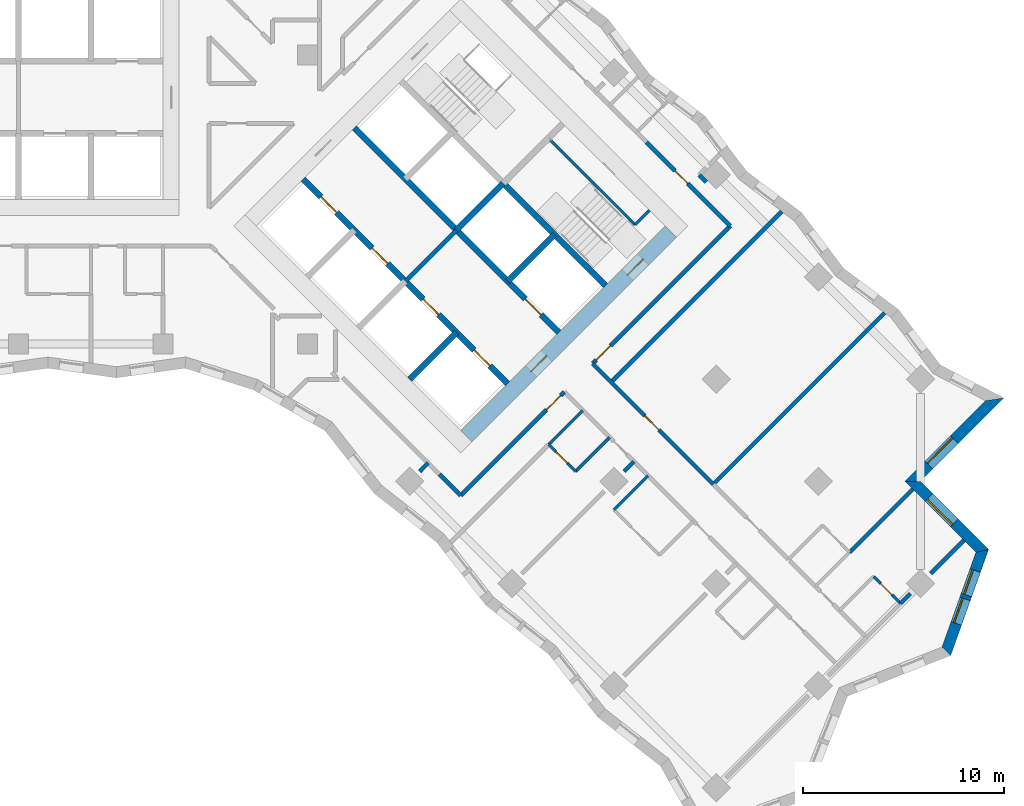
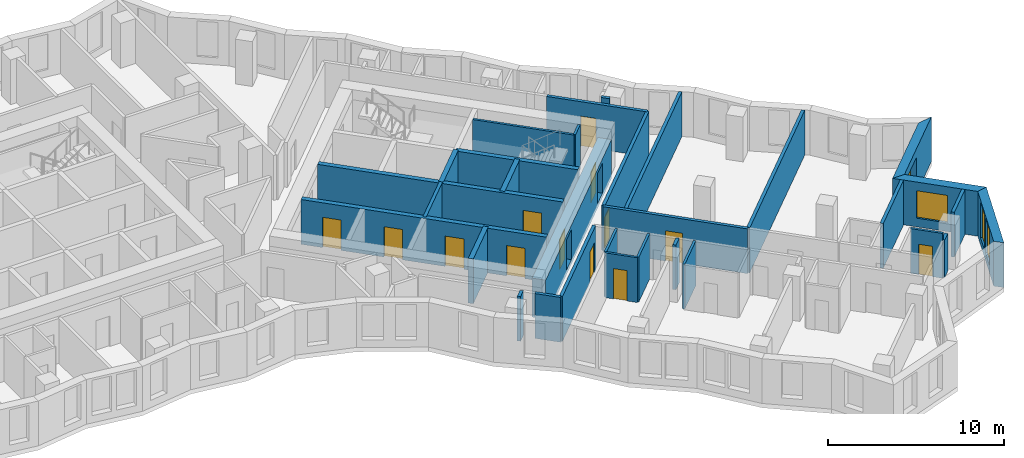
# One storey, part 9 of 13: 31 walls, 13 doors, 4 windows, 17 openings.
"""IFC4 building model written with IfcOpenShell, lengths in metres."""

import ifcopenshell
import ifcopenshell.guid

model = None  # the IFC model being written
_history = None  # IfcOwnerHistory: only IFC2X3 demands one
_inside = {}  # id of a spatial element -> (the spatial element, [elements in it])
_under = {}  # id of a project, library or spatial element -> (it, [spatial elements below it])
_declared = {}  # id of a project -> (the project, [libraries it declares])
_typed = {}  # id of a type object -> (the type object, [elements of that type])
_made_of = {}  # id of a material, layer set ... -> (it, [elements and type objects made of it])


def new_model(schema):
    """Start an empty IFC model of exactly this schema.

    Asked for "IFC4X3", IfcOpenShell would pick the latest addendum, in which some entities
    have other attributes; the version numbers below select the first issue.
    IFC2X3 requires an IfcOwnerHistory on every rooted entity: one is made here for all.
    """
    global model, _history
    if schema == "IFC4X3":
        model = ifcopenshell.file(schema_version=(4, 3, 0, 0))
    else:
        model = ifcopenshell.file(schema=schema)
    _inside.clear()
    _under.clear()
    _declared.clear()
    _typed.clear()
    _made_of.clear()
    _history = None
    if model.schema == "IFC2X3":
        org = make("IfcOrganization", Name="unknown")
        user = make(
            "IfcPersonAndOrganization",
            ThePerson=make("IfcPerson", FamilyName="unknown"),
            TheOrganization=org,
        )
        app = make(
            "IfcApplication",
            ApplicationDeveloper=org,
            Version="unknown",
            ApplicationFullName="unknown",
            ApplicationIdentifier="unknown",
        )
        _history = make(
            "IfcOwnerHistory",
            OwningUser=user,
            OwningApplication=app,
            ChangeAction="ADDED",
            CreationDate=0,
        )
    return model


def make(cls, **values):
    """One entity of the class cls with the attributes given. An attribute that is None is left unset."""
    return model.create_entity(
        cls, **{name: value for name, value in values.items() if value is not None}
    )


def rooted(cls, **values):
    """An entity with a GlobalId (a new one), such as an element, a storey or a relation."""
    return make(cls, GlobalId=ifcopenshell.guid.new(), OwnerHistory=_history, **values)


def si_unit(unit_type, name, prefix=None):
    """IfcSIUnit, for example si_unit("LENGTHUNIT", "METRE", prefix="MILLI")."""
    return make("IfcSIUnit", UnitType=unit_type, Prefix=prefix, Name=name)


def assignment(units):
    """IfcUnitAssignment: the units of a project."""
    return None if units is None else make("IfcUnitAssignment", Units=units)


def point(xyz):
    """IfcCartesianPoint."""
    return None if xyz is None else make("IfcCartesianPoint", Coordinates=xyz)


def direction(xyz):
    """IfcDirection."""
    return None if xyz is None else make("IfcDirection", DirectionRatios=xyz)


def frame(location, z_axis=None, x_axis=None):
    """IfcAxis2Placement3D, a coordinate frame: its origin and axes. An axis left out is left unset."""
    return make(
        "IfcAxis2Placement3D",
        Location=point(location),
        Axis=direction(z_axis),
        RefDirection=direction(x_axis),
    )


def frame_2d(location, x_axis=None):
    """IfcAxis2Placement2D, a coordinate frame in the plane: its origin and x axis."""
    return make(
        "IfcAxis2Placement2D", Location=point(location), RefDirection=direction(x_axis)
    )


def origin():
    """The frame at (0, 0, 0) with its axes left unset."""
    return frame((0.0, 0.0, 0.0))


def place(relative_to, where):
    """IfcLocalPlacement: puts the frame where relative to a parent placement (None: the world)."""
    return make(
        "IfcLocalPlacement", PlacementRelTo=relative_to, RelativePlacement=where
    )


def context(
    kind, dimensions, precision=None, world=None, true_north=None, identifier=None
):
    """IfcGeometricRepresentationContext, for example the 3D "Model" context."""
    return make(
        "IfcGeometricRepresentationContext",
        ContextIdentifier=identifier,
        ContextType=kind,
        CoordinateSpaceDimension=dimensions,
        Precision=precision,
        WorldCoordinateSystem=world,
        TrueNorth=true_north,
    )


def subcontext(parent, identifier, kind, view, scale=None):
    """IfcGeometricRepresentationSubContext, for example "Body" below "Model"."""
    return make(
        "IfcGeometricRepresentationSubContext",
        ContextIdentifier=identifier,
        ContextType=kind,
        ParentContext=parent,
        TargetScale=scale,
        TargetView=view,
    )


def project(units=None, contexts=None):
    """IfcProject with its units and contexts."""
    return rooted(
        "IfcProject",
        Name="project",
        RepresentationContexts=contexts,
        UnitsInContext=assignment(units),
    )


def spatial(cls, under=None, at=None, **own):
    """A site, building, storey or space (cls), placed at a placement, below another one or the project."""
    s = rooted(cls, ObjectPlacement=at, **own)
    if under is not None:
        _under.setdefault(under.id(), (under, []))[1].append(s)
    return s


def polyline(points):
    """IfcPolyline through the points."""
    return make("IfcPolyline", Points=[point(p) for p in points])


def profile(cls, at=None, kind="AREA", **sizes):
    """A parametric profile (cls). Its sizes go by their IFC names, for example OverallWidth=200.0."""
    return make(cls, ProfileType=kind, Position=at, **sizes)


def rectangle(**sizes):
    """IfcRectangleProfileDef."""
    return profile("IfcRectangleProfileDef", **sizes)


def outline(outer, holes=None, kind="AREA"):
    """IfcArbitraryClosedProfileDef: a profile drawn as a closed curve; with holes, ...WithVoids."""
    if holes is None:
        return make("IfcArbitraryClosedProfileDef", ProfileType=kind, OuterCurve=outer)
    return make(
        "IfcArbitraryProfileDefWithVoids",
        ProfileType=kind,
        OuterCurve=outer,
        InnerCurves=holes,
    )


def extrude(swept, where, along, depth):
    """IfcExtrudedAreaSolid: the profile swept, set in the frame where, extruded along a direction by depth."""
    return make(
        "IfcExtrudedAreaSolid",
        SweptArea=swept,
        Position=where,
        ExtrudedDirection=direction(along),
        Depth=depth,
    )


def shape(context_of_items, identifier, shape_type, items):
    """IfcShapeRepresentation: the items that make up one representation, for example the "Body"."""
    return make(
        "IfcShapeRepresentation",
        ContextOfItems=context_of_items,
        RepresentationIdentifier=identifier,
        RepresentationType=shape_type,
        Items=items,
    )


def material(Name=None, Category=None):
    """IfcMaterial."""
    return make("IfcMaterial", Name=Name, Category=Category)


def layer(
    of_material, thickness, ventilated=None, Name=None, Category=None, Priority=None
):
    """IfcMaterialLayer: one layer of a wall or slab, of a material (None: an air gap)."""
    return make(
        "IfcMaterialLayer",
        Material=of_material,
        LayerThickness=thickness,
        IsVentilated=ventilated,
        Name=Name,
        Category=Category,
        Priority=Priority,
    )


def layer_set(layers, Name=None):
    """IfcMaterialLayerSet."""
    return make("IfcMaterialLayerSet", MaterialLayers=layers, LayerSetName=Name)


def made_of(thing, what):
    """Note that an element or type object is made of a material, layer set ...; save() writes the relation."""
    if what is not None:
        _made_of.setdefault(what.id(), (what, []))[1].append(thing)
    return thing


def type_object(cls, material=None, **own):
    """A type object (cls), such as IfcWallType, which elements share."""
    return made_of(rooted(cls, **own), material)


def element(
    cls,
    number,
    at=None,
    inside=None,
    cuts=None,
    type_object=None,
    material=None,
    context=None,
    identifier="Body",
    shape_type=None,
    held_by="IfcProductDefinitionShape",
    body=None,
    shapes=None,
    **own,
):
    """One element of the class cls, such as IfcWall. Its Tag is "e" and its number.

    at: its placement. inside: the storey or other place that contains it. cuts: it is an
    opening in that element (IfcRelVoidsElement). A single representation is given by context,
    identifier, shape_type and body (its items); several are given by shapes. held_by: the class
    of the entity that holds the representations. save() writes the other relations.
    """
    e = rooted(cls, Tag="e%d" % number, ObjectPlacement=at, **own)
    if body is not None:
        shapes = [shape(context, identifier, shape_type, body)]
    if shapes is not None:
        e.Representation = make(held_by, Representations=shapes)
    if inside is not None:
        _inside.setdefault(inside.id(), (inside, []))[1].append(e)
    if cuts is not None:
        rooted(
            "IfcRelVoidsElement", RelatingBuildingElement=cuts, RelatedOpeningElement=e
        )
    if type_object is not None:
        _typed.setdefault(type_object.id(), (type_object, []))[1].append(e)
    return made_of(e, material)


def fill(opening, filler):
    """IfcRelFillsElement: the door or window that sits in an opening."""
    return rooted(
        "IfcRelFillsElement",
        RelatingOpeningElement=opening,
        RelatedBuildingElement=filler,
    )


def aggregate(whole, parts):
    """IfcRelAggregates: a whole, such as a stair, and the parts it consists of."""
    return rooted("IfcRelAggregates", RelatingObject=whole, RelatedObjects=parts)


def save(model, path):
    """Write the relations noted so far, then the file.

    IfcRelAggregates (storeys below a building ...), IfcRelContainedInSpatialStructure (elements
    in a storey), IfcRelDefinesByType, IfcRelAssociatesMaterial and IfcRelDeclares: one each for
    every whole, place, type object, material and project.
    """
    for whole, parts in _under.values():
        aggregate(whole, parts)
    for where, things in _inside.values():
        rooted(
            "IfcRelContainedInSpatialStructure",
            RelatedElements=things,
            RelatingStructure=where,
        )
    for kind, things in _typed.values():
        rooted("IfcRelDefinesByType", RelatedObjects=things, RelatingType=kind)
    for what, things in _made_of.values():
        rooted("IfcRelAssociatesMaterial", RelatedObjects=things, RelatingMaterial=what)
    for by, libraries in _declared.values():
        rooted("IfcRelDeclares", RelatingContext=by, RelatedDefinitions=libraries)
    model.write(path)


model = new_model("IFC4")

# Units and contexts
model_context = context("Model", 3, precision=1e-05, world=origin(), true_north=direction((0.0, 1.0)))
body_context = subcontext(model_context, "Body", "Model", "MODEL_VIEW")
ifc_project = project(units=[si_unit("LENGTHUNIT", "METRE"), si_unit("AREAUNIT", "SQUARE_METRE"), si_unit("VOLUMEUNIT", "CUBIC_METRE"), si_unit("PLANEANGLEUNIT", "RADIAN"), si_unit("MASSUNIT", "GRAM", prefix="KILO")], contexts=[model_context])

# Site, building, storey
site_placement = place(None, origin())
site = spatial("IfcSite", under=ifc_project, at=site_placement, CompositionType="ELEMENT")
building_placement = place(site_placement, origin())
building = spatial("IfcBuilding", under=site, at=building_placement, Name="Windrow Commons", CompositionType="ELEMENT")
storey_placement = place(building_placement, frame((0.0, 0.0, 101.6)))
storey = spatial("IfcBuildingStorey", under=building, at=storey_placement, Name="L27", CompositionType="ELEMENT", Elevation=101.6)

# Wall, openings, windows
ifc_material_1 = material(Name="Brick masonry, red clay brick", Category="masonry")
ifc_layer_1 = layer(ifc_material_1, 0.55)
ifc_layer_set_1 = layer_set([ifc_layer_1], Name="Brick facade wall 550")
wall_type_1 = type_object("IfcWallType", Name="Brick facade wall 550", PredefinedType="SOLIDWALL", material=ifc_layer_set_1)
wall_1_placement = place(storey_placement, frame((111.0358, 27.8953, 0.0), z_axis=(0.0, 0.0, 1.0), x_axis=(0.3366083403, 0.9416447447, 0.0)))
wall_1 = element("IfcWall", 1, at=wall_1_placement, inside=storey, type_object=wall_type_1, Name="Brick facade wall L27 4", PredefinedType="SOLIDWALL", context=body_context, shape_type="SweptSolid", body=[
    extrude(outline(polyline([(-0.1247, -0.275), (5.4851, -0.275), (5.1369, 0.275), (0.1247, 0.275), (-0.1247, -0.275)])), origin(), (0.0, 0.0, 1.0), 3.1),
])
opening_1_placement = place(wall_1_placement, frame((1.4724, 0.0, 0.5)))
opening_1 = element("IfcOpeningElement", 2, at=opening_1_placement, cuts=wall_1, Name="Opening W1P", PredefinedType="OPENING", context=body_context, shape_type="SweptSolid", body=[
    extrude(rectangle(XDim=1.3, YDim=2.45, at=frame_2d((0.65, 1.225))), frame((0.0, 0.285, 0.0), z_axis=(0.0, -1.0, 0.0), x_axis=(1.0, 0.0, 0.0)), (0.0, 0.0, 1.0), 0.57),
])
opening_2_placement = place(wall_1_placement, frame((2.9724, 0.0, 0.5)))
opening_2 = element("IfcOpeningElement", 3, at=opening_2_placement, cuts=wall_1, Name="Opening W1P", PredefinedType="OPENING", context=body_context, shape_type="SweptSolid", body=[
    extrude(rectangle(XDim=1.3, YDim=2.45, at=frame_2d((0.65, 1.225))), frame((0.0, 0.285, 0.0), z_axis=(0.0, -1.0, 0.0), x_axis=(1.0, 0.0, 0.0)), (0.0, 0.0, 1.0), 0.57),
])
ifc_material_2 = material(Name="Clear float glass in anodised aluminium frame", Category="aluminium")
window_type_1 = type_object("IfcWindowType", Name="Window W1P pair 1300x2450", PartitioningType="SINGLE_PANEL", PredefinedType="WINDOW", material=ifc_material_2)
window_1_placement = place(opening_1_placement, origin())
window_1 = element("IfcWindow", 4, at=window_1_placement, inside=storey, type_object=window_type_1, Name="Window L27 4.1A", OverallHeight=2.45, OverallWidth=1.3, PartitioningType="SINGLE_PANEL", PredefinedType="WINDOW", context=body_context, shape_type="SweptSolid", body=[
    extrude(rectangle(XDim=1.3, YDim=2.45, at=frame_2d((0.65, 1.225))), frame((0.0, 0.155, 0.0), z_axis=(0.0, -1.0, 0.0), x_axis=(1.0, 0.0, 0.0)), (0.0, 0.0, 1.0), 0.06),
])
fill(opening_1, window_1)
window_2_placement = place(opening_2_placement, origin())
window_2 = element("IfcWindow", 5, at=window_2_placement, inside=storey, type_object=window_type_1, Name="Window L27 4.1B", OverallHeight=2.45, OverallWidth=1.3, PartitioningType="SINGLE_PANEL", PredefinedType="WINDOW", context=body_context, shape_type="SweptSolid", body=[
    extrude(rectangle(XDim=1.3, YDim=2.45, at=frame_2d((0.65, 1.225))), frame((0.0, 0.155, 0.0), z_axis=(0.0, -1.0, 0.0), x_axis=(1.0, 0.0, 0.0)), (0.0, 0.0, 1.0), 0.06),
])
fill(opening_2, window_2)

# Wall, opening, window
wall_2_placement = place(storey_placement, frame((112.8235, 32.8963, 0.0), z_axis=(0.0, 0.0, 1.0), x_axis=(-0.7070965789, 0.7071169833, 0.0)))
wall_2 = element("IfcWall", 6, at=wall_2_placement, inside=storey, type_object=wall_type_1, Name="Brick facade wall L27 5", PredefinedType="SOLIDWALL", context=body_context, shape_type="SweptSolid", body=[
    extrude(outline(polyline([(-0.1741, -0.275), (4.6259, -0.275), (5.1759, 0.275), (0.1741, 0.275), (-0.1741, -0.275)])), origin(), (0.0, 0.0, 1.0), 3.1),
])
opening_3_placement = place(wall_2_placement, frame((1.9634, 0.0, 0.6)))
opening_3 = element("IfcOpeningElement", 7, at=opening_3_placement, cuts=wall_2, Name="Opening W1L", PredefinedType="OPENING", context=body_context, shape_type="SweptSolid", body=[
    extrude(rectangle(XDim=1.8, YDim=1.9, at=frame_2d((0.9, 0.95))), frame((0.0, 0.285, 0.0), z_axis=(0.0, -1.0, 0.0), x_axis=(1.0, 0.0, 0.0)), (0.0, 0.0, 1.0), 0.57),
])
ifc_material_3 = material(Name="Clear float glass in anodised aluminium frame", Category="aluminium")
window_type_2 = type_object("IfcWindowType", Name="Window W1L bedroom 1800x1900", PartitioningType="SINGLE_PANEL", PredefinedType="WINDOW", material=ifc_material_3)
window_3_placement = place(opening_3_placement, origin())
window_3 = element("IfcWindow", 8, at=window_3_placement, inside=storey, type_object=window_type_2, Name="Window L27 5.1", OverallHeight=1.9, OverallWidth=1.8, PartitioningType="SINGLE_PANEL", PredefinedType="WINDOW", context=body_context, shape_type="SweptSolid", body=[
    extrude(rectangle(XDim=1.8, YDim=1.9, at=frame_2d((0.9, 0.95))), frame((0.0, 0.155, 0.0), z_axis=(0.0, -1.0, 0.0), x_axis=(1.0, 0.0, 0.0)), (0.0, 0.0, 1.0), 0.06),
])
fill(opening_3, window_3)

wall_3_placement = place(storey_placement, frame((109.3581, 36.3618, 0.0), z_axis=(0.0, 0.0, 1.0), x_axis=(0.7071067812, 0.7071067812, 0.0)))
wall_3 = element("IfcWall", 9, at=wall_3_placement, inside=storey, type_object=wall_type_1, Name="Brick facade wall L27 6", PredefinedType="SOLIDWALL", context=body_context, shape_type="SweptSolid", body=[
    extrude(outline(polyline([(0.275, -0.275), (6.157, -0.275), (5.4055, 0.275), (-0.275, 0.275), (0.275, -0.275)])), origin(), (0.0, 0.0, 1.0), 3.1),
])
opening_4_placement = place(wall_3_placement, frame((1.1375, 0.0, 0.6)))
opening_4 = element("IfcOpeningElement", 10, at=opening_4_placement, cuts=wall_3, Name="Opening W1L", PredefinedType="OPENING", context=body_context, shape_type="SweptSolid", body=[
    extrude(rectangle(XDim=1.8, YDim=1.9, at=frame_2d((0.9, 0.95))), frame((0.0, 0.285, 0.0), z_axis=(0.0, -1.0, 0.0), x_axis=(1.0, 0.0, 0.0)), (0.0, 0.0, 1.0), 0.57),
])
window_4_placement = place(opening_4_placement, origin())
window_4 = element("IfcWindow", 11, at=window_4_placement, inside=storey, type_object=window_type_2, Name="Window L27 6.1", OverallHeight=1.9, OverallWidth=1.8, PartitioningType="SINGLE_PANEL", PredefinedType="WINDOW", context=body_context, shape_type="SweptSolid", body=[
    extrude(rectangle(XDim=1.8, YDim=1.9, at=frame_2d((0.9, 0.95))), frame((0.0, 0.155, 0.0), z_axis=(0.0, -1.0, 0.0), x_axis=(1.0, 0.0, 0.0)), (0.0, 0.0, 1.0), 0.06),
])
fill(opening_4, window_4)

# Wall
ifc_material_4 = material(Name="Blockwork partition", Category="masonry")
ifc_layer_2 = layer(ifc_material_4, 0.2)
ifc_layer_set_2 = layer_set([ifc_layer_2], Name="Fire lobby partition 200")
wall_type_2 = type_object("IfcWallType", Name="Fire lobby partition 200", PredefinedType="PARTITIONING", material=ifc_layer_set_2)
wall_4_placement = place(storey_placement, frame((84.079, 46.332, 0.0), z_axis=(0.0, 0.0, 1.0), x_axis=(0.7071067812, 0.7071067812, 0.0)))
element("IfcWall", 12, at=wall_4_placement, inside=storey, type_object=wall_type_2, Name="W-core-lobby-B-L27", PredefinedType="PARTITIONING", context=body_context, shape_type="SweptSolid", body=[
    extrude(rectangle(XDim=3.6, YDim=0.2, at=frame_2d((1.8, 0.0))), origin(), (0.0, 0.0, 1.0), 3.1),
])

# Wall, opening, door
ifc_material_5 = material(Name="Blockwork partition", Category="masonry")
ifc_layer_3 = layer(ifc_material_5, 0.2)
ifc_layer_set_3 = layer_set([ifc_layer_3], Name="IW-CORRIDOR-200")
wall_type_3 = type_object("IfcWallType", Name="IW-CORRIDOR-200", PredefinedType="PARTITIONING", material=ifc_layer_set_3)
wall_5_placement = place(storey_placement, frame((93.4132, 42.2328, 0.0), z_axis=(0.0, 0.0, 1.0), x_axis=(0.7071067812, 0.7071067812, 0.0)))
wall_5 = element("IfcWall", 13, at=wall_5_placement, inside=storey, type_object=wall_type_3, Name="W-L27-W013", PredefinedType="PARTITIONING", context=body_context, shape_type="SweptSolid", body=[
    extrude(rectangle(XDim=9.6987, YDim=0.2, at=frame_2d((4.8494, 0.0))), origin(), (0.0, 0.0, 1.0), 3.1),
])
opening_5_placement = place(wall_5_placement, frame((0.2494, 0.0, 0.0)))
opening_5 = element("IfcOpeningElement", 14, at=opening_5_placement, cuts=wall_5, Name="Opening D310F", PredefinedType="OPENING", context=body_context, shape_type="SweptSolid", body=[
    extrude(rectangle(XDim=1.0, YDim=2.1, at=frame_2d((0.5, 1.05))), frame((0.0, 0.11, 0.0), z_axis=(0.0, -1.0, 0.0), x_axis=(1.0, 0.0, 0.0)), (0.0, 0.0, 1.0), 0.22),
])
ifc_material_6 = material(Name="Timber door leaf", Category="wood")
door_type_1 = type_object("IfcDoorType", Name="DT-AMENITY-1000", OperationType="SINGLE_SWING_LEFT", PredefinedType="DOOR", material=ifc_material_6)
door_1_placement = place(opening_5_placement, origin())
door_1 = element("IfcDoor", 15, at=door_1_placement, inside=storey, type_object=door_type_1, Name="D-L27-D042", OperationType="SINGLE_SWING_LEFT", OverallHeight=2.1, OverallWidth=1.0, PredefinedType="DOOR", context=body_context, shape_type="SweptSolid", body=[
    extrude(rectangle(XDim=1.0, YDim=2.1, at=frame_2d((0.5, 1.05))), frame((0.0, 0.025, 0.0), z_axis=(0.0, -1.0, 0.0), x_axis=(1.0, 0.0, 0.0)), (0.0, 0.0, 1.0), 0.05),
])
fill(opening_5, door_1)

wall_6_placement = place(storey_placement, frame((93.4106, 42.2266, 0.0), z_axis=(0.0, 0.0, 1.0), x_axis=(0.7071067812, -0.7071067812, 0.0)))
wall_6 = element("IfcWall", 16, at=wall_6_placement, inside=storey, type_object=wall_type_3, Name="W-L27-W017", PredefinedType="PARTITIONING", context=body_context, shape_type="SweptSolid", body=[
    extrude(rectangle(XDim=8.4994, YDim=0.2, at=frame_2d((4.2497, 0.0))), origin(), (0.0, 0.0, 1.0), 3.1),
])
opening_6_placement = place(wall_6_placement, frame((3.6724, 0.0, 0.0)))
opening_6 = element("IfcOpeningElement", 17, at=opening_6_placement, cuts=wall_6, Name="Opening D310F", PredefinedType="OPENING", context=body_context, shape_type="SweptSolid", body=[
    extrude(rectangle(XDim=1.0, YDim=2.1, at=frame_2d((0.5, 1.05))), frame((0.0, 0.11, 0.0), z_axis=(0.0, -1.0, 0.0), x_axis=(1.0, 0.0, 0.0)), (0.0, 0.0, 1.0), 0.22),
])
door_2_placement = place(opening_6_placement, origin())
door_2 = element("IfcDoor", 18, at=door_2_placement, inside=storey, type_object=door_type_1, Name="D-L27-D043", OperationType="SINGLE_SWING_RIGHT", OverallHeight=2.1, OverallWidth=1.0, PredefinedType="DOOR", context=body_context, shape_type="SweptSolid", body=[
    extrude(rectangle(XDim=1.0, YDim=2.1, at=frame_2d((0.5, 1.05))), frame((0.0, 0.025, 0.0), z_axis=(0.0, -1.0, 0.0), x_axis=(1.0, 0.0, 0.0)), (0.0, 0.0, 1.0), 0.05),
])
fill(opening_6, door_2)

wall_7_placement = place(storey_placement, frame((86.8352, 35.6548, 0.0), z_axis=(0.0, 0.0, 1.0), x_axis=(0.7071067812, 0.7071067812, 0.0)))
wall_7 = element("IfcWall", 19, at=wall_7_placement, inside=storey, type_object=wall_type_3, Name="W-L27-W019", PredefinedType="PARTITIONING", context=body_context, shape_type="SweptSolid", body=[
    extrude(rectangle(XDim=7.3002, YDim=0.2, at=frame_2d((3.6501, 0.0))), origin(), (0.0, 0.0, 1.0), 3.1),
])
opening_7_placement = place(wall_7_placement, frame((6.0463, 0.0, 0.0)))
opening_7 = element("IfcOpeningElement", 20, at=opening_7_placement, cuts=wall_7, Name="Opening D310F", PredefinedType="OPENING", context=body_context, shape_type="SweptSolid", body=[
    extrude(rectangle(XDim=1.0, YDim=2.1, at=frame_2d((0.5, 1.05))), frame((0.0, 0.11, 0.0), z_axis=(0.0, -1.0, 0.0), x_axis=(1.0, 0.0, 0.0)), (0.0, 0.0, 1.0), 0.22),
])
door_3_placement = place(opening_7_placement, origin())
door_3 = element("IfcDoor", 21, at=door_3_placement, inside=storey, type_object=door_type_1, Name="D-L27-D046", OperationType="SINGLE_SWING_RIGHT", OverallHeight=2.1, OverallWidth=1.0, PredefinedType="DOOR", context=body_context, shape_type="SweptSolid", body=[
    extrude(rectangle(XDim=1.0, YDim=2.1, at=frame_2d((0.5, 1.05))), frame((0.0, 0.025, 0.0), z_axis=(0.0, -1.0, 0.0), x_axis=(1.0, 0.0, 0.0)), (0.0, 0.0, 1.0), 0.05),
])
fill(opening_7, door_3)

wall_8_placement = place(storey_placement, frame((96.0965, 53.2585, 0.0), z_axis=(0.0, 0.0, 1.0), x_axis=(0.7071067812, -0.7071067812, 0.0)))
wall_8 = element("IfcWall", 22, at=wall_8_placement, inside=storey, type_object=wall_type_3, Name="W-L27-W029", PredefinedType="PARTITIONING", context=body_context, shape_type="SweptSolid", body=[
    extrude(rectangle(XDim=5.9001, YDim=0.2, at=frame_2d((2.9501, 0.0))), origin(), (0.0, 0.0, 1.0), 3.1),
])
opening_8_placement = place(wall_8_placement, frame((2.0065, 0.0, 0.0)))
opening_8 = element("IfcOpeningElement", 23, at=opening_8_placement, cuts=wall_8, Name="Opening D109S", PredefinedType="OPENING", context=body_context, shape_type="SweptSolid", body=[
    extrude(rectangle(XDim=0.9, YDim=2.1, at=frame_2d((0.45, 1.05))), frame((0.0, 0.11, 0.0), z_axis=(0.0, -1.0, 0.0), x_axis=(1.0, 0.0, 0.0)), (0.0, 0.0, 1.0), 0.22),
])
ifc_material_7 = material(Name="Timber door leaf", Category="wood")
door_type_2 = type_object("IfcDoorType", Name="DT-BEDROOM-900", OperationType="SINGLE_SWING_LEFT", PredefinedType="DOOR", material=ifc_material_7)
door_4_placement = place(opening_8_placement, origin())
door_4 = element("IfcDoor", 24, at=door_4_placement, inside=storey, type_object=door_type_2, Name="D-L27-D039", OperationType="SINGLE_SWING_LEFT", OverallHeight=2.1, OverallWidth=0.9, PredefinedType="DOOR", context=body_context, shape_type="SweptSolid", body=[
    extrude(rectangle(XDim=0.9, YDim=2.1, at=frame_2d((0.45, 1.05))), frame((0.0, 0.025, 0.0), z_axis=(0.0, -1.0, 0.0), x_axis=(1.0, 0.0, 0.0)), (0.0, 0.0, 1.0), 0.05),
])
fill(opening_8, door_4)

# Walls
wall_9_placement = place(storey_placement, frame((85.7777, 36.7177, 0.0), z_axis=(0.0, 0.0, 1.0), x_axis=(0.7064400143, -0.70777292, 0.0)))
element("IfcWall", 25, at=wall_9_placement, inside=storey, type_object=wall_type_3, Name="W-L27-W132", PredefinedType="PARTITIONING", context=body_context, shape_type="SweptSolid", body=[
    extrude(rectangle(XDim=1.5005, YDim=0.2, at=frame_2d((0.7502, 0.0))), origin(), (0.0, 0.0, 1.0), 3.1),
])
ifc_material_8 = material(Name="Blockwork partition", Category="masonry")
ifc_layer_4 = layer(ifc_material_8, 0.15)
ifc_layer_set_4 = layer_set([ifc_layer_4], Name="IW-ENSUITE-150")
wall_type_4 = type_object("IfcWallType", Name="IW-ENSUITE-150", PredefinedType="PARTITIONING", material=ifc_layer_set_4)
for number, where, z_axis, x_axis, name in (
    (26, (92.5629, 36.8571, 0.0), (0.0, 0.0, 1.0), (0.7071067812, 0.7071067812, 0.0), "W-L27-W064"),
    (27, (91.2194, 38.2006, 0.0), (0.0, 0.0, 1.0), (0.7071067812, 0.7071067812, 0.0), "W-L27-W065"),
):
    element("IfcWall", number, at=place(storey_placement, frame(where, z_axis=z_axis, x_axis=x_axis)), inside=storey, type_object=wall_type_4, Name=name, PredefinedType="PARTITIONING", context=body_context, shape_type="SweptSolid", body=[
        extrude(rectangle(XDim=2.4013, YDim=0.15, at=frame_2d((1.2006, 0.0))), origin(), (0.0, 0.0, 1.0), 3.1),
    ])
wall_10_placement = place(storey_placement, frame((94.4731, 34.9489, 0.0), z_axis=(0.0, 0.0, 1.0), x_axis=(0.7071067812, 0.7071067812, 0.0)))
element("IfcWall", 28, at=wall_10_placement, inside=storey, type_object=wall_type_4, Name="W-L27-W095", PredefinedType="PARTITIONING", context=body_context, shape_type="SweptSolid", body=[
    extrude(rectangle(XDim=2.3985, YDim=0.15, at=frame_2d((1.1992, 0.0))), origin(), (0.0, 0.0, 1.0), 3.1),
])

# Wall, opening, door
wall_11_placement = place(storey_placement, frame((107.4107, 31.6207, 0.0), z_axis=(0.0, 0.0, 1.0), x_axis=(0.7071067812, -0.7071067812, 0.0)))
wall_11 = element("IfcWall", 29, at=wall_11_placement, inside=storey, type_object=wall_type_4, Name="W-L27-W116", PredefinedType="PARTITIONING", context=body_context, shape_type="SweptSolid", body=[
    extrude(rectangle(XDim=1.9007, YDim=0.15, at=frame_2d((0.9504, 0.0))), origin(), (0.0, 0.0, 1.0), 3.1),
])
opening_9_placement = place(wall_11_placement, frame((0.4926, 0.0, 0.0)))
opening_9 = element("IfcOpeningElement", 30, at=opening_9_placement, cuts=wall_11, Name="Opening D208N", PredefinedType="OPENING", context=body_context, shape_type="SweptSolid", body=[
    extrude(rectangle(XDim=0.8, YDim=2.1, at=frame_2d((0.4, 1.05))), frame((0.0, 0.085, 0.0), z_axis=(0.0, -1.0, 0.0), x_axis=(1.0, 0.0, 0.0)), (0.0, 0.0, 1.0), 0.17),
])
ifc_material_9 = material(Name="Timber door leaf", Category="wood")
door_type_3 = type_object("IfcDoorType", Name="DT-ENSUITE-800", OperationType="SINGLE_SWING_LEFT", PredefinedType="DOOR", material=ifc_material_9)
door_5_placement = place(opening_9_placement, origin())
door_5 = element("IfcDoor", 31, at=door_5_placement, inside=storey, type_object=door_type_3, Name="D-L27-D054", OperationType="SINGLE_SWING_RIGHT", OverallHeight=2.1, OverallWidth=0.8, PredefinedType="DOOR", context=body_context, shape_type="SweptSolid", body=[
    extrude(rectangle(XDim=0.8, YDim=2.1, at=frame_2d((0.4, 1.05))), frame((0.0, 0.025, 0.0), z_axis=(0.0, -1.0, 0.0), x_axis=(1.0, 0.0, 0.0)), (0.0, 0.0, 1.0), 0.05),
])
fill(opening_9, door_5)

wall_12_placement = place(storey_placement, frame((91.2173, 38.1973, 0.0), z_axis=(0.0, 0.0, 1.0), x_axis=(0.7071067812, -0.7071067812, 0.0)))
wall_12 = element("IfcWall", 32, at=wall_12_placement, inside=storey, type_object=wall_type_4, Name="W-L27-W118", PredefinedType="PARTITIONING", context=body_context, shape_type="SweptSolid", body=[
    extrude(rectangle(XDim=1.9007, YDim=0.15, at=frame_2d((0.9504, 0.0))), origin(), (0.0, 0.0, 1.0), 3.1),
])
opening_10_placement = place(wall_12_placement, frame((0.5024, 0.0, 0.0)))
opening_10 = element("IfcOpeningElement", 33, at=opening_10_placement, cuts=wall_12, Name="Opening D208N", PredefinedType="OPENING", context=body_context, shape_type="SweptSolid", body=[
    extrude(rectangle(XDim=0.8, YDim=2.1, at=frame_2d((0.4, 1.05))), frame((0.0, 0.085, 0.0), z_axis=(0.0, -1.0, 0.0), x_axis=(1.0, 0.0, 0.0)), (0.0, 0.0, 1.0), 0.17),
])
door_6_placement = place(opening_10_placement, origin())
door_6 = element("IfcDoor", 34, at=door_6_placement, inside=storey, type_object=door_type_3, Name="D-L27-D048", OperationType="SINGLE_SWING_RIGHT", OverallHeight=2.1, OverallWidth=0.8, PredefinedType="DOOR", context=body_context, shape_type="SweptSolid", body=[
    extrude(rectangle(XDim=0.8, YDim=2.1, at=frame_2d((0.4, 1.05))), frame((0.0, 0.025, 0.0), z_axis=(0.0, -1.0, 0.0), x_axis=(1.0, 0.0, 0.0)), (0.0, 0.0, 1.0), 0.05),
])
fill(opening_10, door_6)

# Walls
ifc_material_10 = material(Name="Blockwork partition", Category="masonry")
ifc_layer_5 = layer(ifc_material_10, 0.2)
ifc_layer_set_5 = layer_set([ifc_layer_5], Name="IW-PARTY-200")
wall_type_5 = type_object("IfcWallType", Name="IW-PARTY-200", PredefinedType="PARTITIONING", material=ifc_layer_set_5)
wall_13_placement = place(storey_placement, frame((99.4226, 36.2214, 0.0), z_axis=(0.0, 0.0, 1.0), x_axis=(0.7071067812, 0.7071067812, 0.0)))
element("IfcWall", 35, at=wall_13_placement, inside=storey, type_object=wall_type_5, Name="W-L27-W006", PredefinedType="PARTITIONING", context=body_context, shape_type="SweptSolid", body=[
    extrude(rectangle(XDim=12.0724, YDim=0.2, at=frame_2d((6.0362, 0.0))), origin(), (0.0, 0.0, 1.0), 3.1),
])
wall_14_placement = place(storey_placement, frame((94.3314, 41.3126, 0.0), z_axis=(0.0, 0.0, 1.0), x_axis=(0.7071109413, 0.7071026211, 0.0)))
element("IfcWall", 36, at=wall_14_placement, inside=storey, type_object=wall_type_5, Name="W-L27-W007", PredefinedType="PARTITIONING", context=body_context, shape_type="SweptSolid", body=[
    extrude(rectangle(XDim=12.0189, YDim=0.2, at=frame_2d((6.0095, 0.0))), origin(), (0.0, 0.0, 1.0), 3.1),
])
wall_15_placement = place(storey_placement, frame((106.2108, 32.8272, 0.0), z_axis=(0.0, 0.0, 1.0), x_axis=(0.7071067812, 0.7071067812, 0.0)))
element("IfcWall", 37, at=wall_15_placement, inside=storey, type_object=wall_type_5, Name="W-L27-W047", PredefinedType="PARTITIONING", context=body_context, shape_type="SweptSolid", body=[
    extrude(rectangle(XDim=4.4498, YDim=0.2, at=frame_2d((2.2249, 0.0))), origin(), (0.0, 0.0, 1.0), 3.1),
])
wall_16_placement = place(storey_placement, frame((110.2515, 31.7666, 0.0), z_axis=(0.0, 0.0, 1.0), x_axis=(0.7066584143, 0.7075548639, 0.0)))
element("IfcWall", 38, at=wall_16_placement, inside=storey, type_object=wall_type_5, Name="W-L27-W099", PredefinedType="PARTITIONING", context=body_context, shape_type="SweptSolid", body=[
    extrude(rectangle(XDim=2.3426, YDim=0.2, at=frame_2d((1.1713, 0.0))), origin(), (0.0, 0.0, 1.0), 3.1),
])
wall_17_placement = place(storey_placement, frame((94.973, 36.863, 0.0), z_axis=(0.0, 0.0, 1.0), x_axis=(0.7071067812, 0.7071067812, 0.0)))
element("IfcWall", 39, at=wall_17_placement, inside=storey, type_object=wall_type_5, Name="W-L27-W146", PredefinedType="PARTITIONING", context=body_context, shape_type="SweptSolid", body=[
    extrude(rectangle(XDim=0.693, YDim=0.2, at=frame_2d((0.3465, 0.0))), origin(), (0.0, 0.0, 1.0), 3.1),
])
wall_18_placement = place(storey_placement, frame((108.7564, 30.2816, 0.0), z_axis=(0.0, 0.0, 1.0), x_axis=(0.7071067812, 0.7071067812, 0.0)))
element("IfcWall", 40, at=wall_18_placement, inside=storey, type_object=wall_type_5, Name="W-L27-W147", PredefinedType="PARTITIONING", context=body_context, shape_type="SweptSolid", body=[
    extrude(rectangle(XDim=0.693, YDim=0.2, at=frame_2d((0.3465, 0.0))), origin(), (0.0, 0.0, 1.0), 2.6),
])
wall_19_placement = place(storey_placement, frame((84.7942, 36.8598, 0.0), z_axis=(0.0, 0.0, 1.0), x_axis=(0.7054171665, 0.7087923682, 0.0)))
element("IfcWall", 41, at=wall_19_placement, inside=storey, type_object=wall_type_5, Name="W-L27-W152", PredefinedType="PARTITIONING", context=body_context, shape_type="SweptSolid", body=[
    extrude(rectangle(XDim=0.5926, YDim=0.2, at=frame_2d((0.2963, 0.0))), origin(), (0.0, 0.0, 1.0), 3.1),
])
wall_20_placement = place(storey_placement, frame((98.7125, 51.6325, 0.0), z_axis=(0.0, 0.0, 1.0), x_axis=(0.7071067812, -0.7071067812, 0.0)))
element("IfcWall", 42, at=wall_20_placement, inside=storey, type_object=wall_type_5, Name="W-L27-W154", PredefinedType="PARTITIONING", context=body_context, shape_type="SweptSolid", body=[
    extrude(rectangle(XDim=0.4978, YDim=0.2, at=frame_2d((0.2489, 0.0))), origin(), (0.0, 0.0, 1.0), 3.1),
])

# Wall, openings, doors
ifc_material_11 = material(Name="Concrete C50/60", Category="concrete")
ifc_layer_6 = layer(ifc_material_11, 0.8)
ifc_layer_set_6 = layer_set([ifc_layer_6], Name="RC CORE WALL 800 C50/60")
wall_type_6 = type_object("IfcWallType", Name="RC CORE WALL 800 C50/60", PredefinedType="SHEAR", material=ifc_layer_set_6)
wall_21_placement = place(storey_placement, frame((87.1196, 38.6246, -0.3), z_axis=(0.0, 0.0, 1.0), x_axis=(0.7071067812, 0.7071067812, 0.0)))
wall_21 = element("IfcWall", 43, at=wall_21_placement, inside=storey, type_object=wall_type_6, Name="Core B wall outer-E", PredefinedType="SHEAR", context=body_context, shape_type="SweptSolid", body=[
    extrude(rectangle(XDim=14.3999, YDim=0.8, at=frame_2d((7.2, 0.0))), origin(), (0.0, 0.0, 1.0), 2.7),
])
opening_11_placement = place(wall_21_placement, frame((4.55, 0.0, 0.3)))
opening_11 = element("IfcOpeningElement", 44, at=opening_11_placement, cuts=wall_21, Name="Opening D6", PredefinedType="OPENING", context=body_context, shape_type="SweptSolid", body=[
    extrude(rectangle(XDim=1.1, YDim=2.1, at=frame_2d((0.55, 1.05))), frame((0.0, 0.41, 0.0), z_axis=(0.0, -1.0, 0.0), x_axis=(1.0, 0.0, 0.0)), (0.0, 0.0, 1.0), 0.82),
])
opening_12_placement = place(wall_21_placement, frame((11.35, 0.0, 0.3)))
opening_12 = element("IfcOpeningElement", 45, at=opening_12_placement, cuts=wall_21, Name="Opening D7", PredefinedType="OPENING", context=body_context, shape_type="SweptSolid", body=[
    extrude(rectangle(XDim=1.1, YDim=2.1, at=frame_2d((0.55, 1.05))), frame((0.0, 0.41, 0.0), z_axis=(0.0, -1.0, 0.0), x_axis=(1.0, 0.0, 0.0)), (0.0, 0.0, 1.0), 0.82),
])
ifc_material_12 = material(Name="Steel fire door leaf", Category="steel")
door_type_4 = type_object("IfcDoorType", Name="Core lobby door 1100", OperationType="SINGLE_SWING_LEFT", PredefinedType="DOOR", material=ifc_material_12)
door_7_placement = place(opening_11_placement, origin())
door_7 = element("IfcDoor", 46, at=door_7_placement, inside=storey, type_object=door_type_4, Name="Lift lobby door", OperationType="DOUBLE_DOOR_SINGLE_SWING", OverallHeight=2.1, OverallWidth=1.1, PredefinedType="DOOR", context=body_context, shape_type="SweptSolid", body=[
    extrude(rectangle(XDim=1.1, YDim=2.1, at=frame_2d((0.55, 1.05))), frame((0.0, 0.025, 0.0), z_axis=(0.0, -1.0, 0.0), x_axis=(1.0, 0.0, 0.0)), (0.0, 0.0, 1.0), 0.05),
])
fill(opening_11, door_7)
ifc_material_13 = material(Name="Steel fire door leaf", Category="steel")
door_type_5 = type_object("IfcDoorType", Name="Stair door 1100", OperationType="SINGLE_SWING_LEFT", PredefinedType="DOOR", material=ifc_material_13)
door_8_placement = place(opening_12_placement, origin())
door_8 = element("IfcDoor", 47, at=door_8_placement, inside=storey, type_object=door_type_5, Name="Stair door", OperationType="SINGLE_SWING_RIGHT", OverallHeight=2.1, OverallWidth=1.1, PredefinedType="DOOR", context=body_context, shape_type="SweptSolid", body=[
    extrude(rectangle(XDim=1.1, YDim=2.1, at=frame_2d((0.55, 1.05))), frame((0.0, 0.025, 0.0), z_axis=(0.0, -1.0, 0.0), x_axis=(1.0, 0.0, 0.0)), (0.0, 0.0, 1.0), 0.05),
])
fill(opening_12, door_8)

# Walls
ifc_material_14 = material(Name="Concrete C50/60", Category="concrete")
ifc_layer_7 = layer(ifc_material_14, 0.3)
ifc_layer_set_7 = layer_set([ifc_layer_7], Name="RC SHAFT WALL 300 C50/60")
wall_type_7 = type_object("IfcWallType", Name="RC SHAFT WALL 300 C50/60", PredefinedType="SOLIDWALL", material=ifc_layer_set_7)
wall_22_placement = place(storey_placement, frame((86.6246, 48.8776, 0.0), z_axis=(0.0, 0.0, 1.0), x_axis=(0.7071067812, 0.7071067812, 0.0)))
element("IfcWall", 48, at=wall_22_placement, inside=storey, type_object=wall_type_7, Name="Core B wall shaft-N2", PredefinedType="SOLIDWALL", context=body_context, shape_type="SweptSolid", body=[
    extrude(rectangle(XDim=3.3001, YDim=0.3, at=frame_2d((1.6501, 0.0))), origin(), (0.0, 0.0, 1.0), 3.1),
])
wall_23_placement = place(storey_placement, frame((84.2912, 41.453, 0.0), z_axis=(0.0, 0.0, 1.0), x_axis=(0.7071067812, 0.7071067812, 0.0)))
element("IfcWall", 49, at=wall_23_placement, inside=storey, type_object=wall_type_7, Name="Core B wall shaft-S3", PredefinedType="SOLIDWALL", context=body_context, shape_type="SweptSolid", body=[
    extrude(rectangle(XDim=3.2999, YDim=0.3, at=frame_2d((1.65, 0.0))), origin(), (0.0, 0.0, 1.0), 3.1),
])
wall_24_placement = place(storey_placement, frame((89.1702, 46.332, 0.0), z_axis=(0.0, 0.0, 1.0), x_axis=(0.7071067812, 0.7071067812, 0.0)))
element("IfcWall", 50, at=wall_24_placement, inside=storey, type_object=wall_type_7, Name="Core B wall shaft-N3", PredefinedType="SOLIDWALL", context=body_context, shape_type="SweptSolid", body=[
    extrude(rectangle(XDim=3.3001, YDim=0.3, at=frame_2d((1.6501, 0.0))), origin(), (0.0, 0.0, 1.0), 3.1),
])

# Wall, openings, doors
wall_25_placement = place(storey_placement, frame((78.9879, 51.4232, 0.0), z_axis=(0.0, 0.0, 1.0), x_axis=(0.7071067812, -0.7071067812, 0.0)))
wall_25 = element("IfcWall", 51, at=wall_25_placement, inside=storey, type_object=wall_type_7, Name="Core B wall lobby-S", PredefinedType="SOLIDWALL", context=body_context, shape_type="SweptSolid", body=[
    extrude(rectangle(XDim=14.3999, YDim=0.3, at=frame_2d((7.2, 0.0))), origin(), (0.0, 0.0, 1.0), 3.1),
])
opening_13_placement = place(wall_25_placement, frame((1.25, 0.0, 0.0)))
opening_13 = element("IfcOpeningElement", 52, at=opening_13_placement, cuts=wall_25, Name="Opening LD", PredefinedType="OPENING", context=body_context, shape_type="SweptSolid", body=[
    extrude(rectangle(XDim=1.1, YDim=2.1, at=frame_2d((0.55, 1.05))), frame((0.0, 0.16, 0.0), z_axis=(0.0, -1.0, 0.0), x_axis=(1.0, 0.0, 0.0)), (0.0, 0.0, 1.0), 0.32),
])
opening_14_placement = place(wall_25_placement, frame((4.85, 0.0, 0.0)))
opening_14 = element("IfcOpeningElement", 53, at=opening_14_placement, cuts=wall_25, Name="Opening LD", PredefinedType="OPENING", context=body_context, shape_type="SweptSolid", body=[
    extrude(rectangle(XDim=1.1, YDim=2.1, at=frame_2d((0.55, 1.05))), frame((0.0, 0.16, 0.0), z_axis=(0.0, -1.0, 0.0), x_axis=(1.0, 0.0, 0.0)), (0.0, 0.0, 1.0), 0.32),
])
opening_15_placement = place(wall_25_placement, frame((8.45, 0.0, 0.0)))
opening_15 = element("IfcOpeningElement", 54, at=opening_15_placement, cuts=wall_25, Name="Opening LD", PredefinedType="OPENING", context=body_context, shape_type="SweptSolid", body=[
    extrude(rectangle(XDim=1.1, YDim=2.1, at=frame_2d((0.55, 1.05))), frame((0.0, 0.16, 0.0), z_axis=(0.0, -1.0, 0.0), x_axis=(1.0, 0.0, 0.0)), (0.0, 0.0, 1.0), 0.32),
])
opening_16_placement = place(wall_25_placement, frame((12.05, 0.0, 0.0)))
opening_16 = element("IfcOpeningElement", 55, at=opening_16_placement, cuts=wall_25, Name="Opening LD", PredefinedType="OPENING", context=body_context, shape_type="SweptSolid", body=[
    extrude(rectangle(XDim=1.1, YDim=2.1, at=frame_2d((0.55, 1.05))), frame((0.0, 0.16, 0.0), z_axis=(0.0, -1.0, 0.0), x_axis=(1.0, 0.0, 0.0)), (0.0, 0.0, 1.0), 0.32),
])
ifc_material_15 = material(Name="Stainless steel door leaf", Category="steel")
door_type_6 = type_object("IfcDoorType", Name="Lift landing door 1100", OperationType="SLIDING_TO_LEFT", PredefinedType="DOOR", material=ifc_material_15)
door_9_placement = place(opening_13_placement, origin())
door_9 = element("IfcDoor", 56, at=door_9_placement, inside=storey, type_object=door_type_6, Name="Lift landing door", OperationType="SLIDING_TO_LEFT", OverallHeight=2.1, OverallWidth=1.1, PredefinedType="DOOR", context=body_context, shape_type="SweptSolid", body=[
    extrude(rectangle(XDim=1.1, YDim=2.1, at=frame_2d((0.55, 1.05))), frame((0.0, 0.025, 0.0), z_axis=(0.0, -1.0, 0.0), x_axis=(1.0, 0.0, 0.0)), (0.0, 0.0, 1.0), 0.05),
])
fill(opening_13, door_9)
door_10_placement = place(opening_14_placement, origin())
door_10 = element("IfcDoor", 57, at=door_10_placement, inside=storey, type_object=door_type_6, Name="Lift landing door", OperationType="SLIDING_TO_RIGHT", OverallHeight=2.1, OverallWidth=1.1, PredefinedType="DOOR", context=body_context, shape_type="SweptSolid", body=[
    extrude(rectangle(XDim=1.1, YDim=2.1, at=frame_2d((0.55, 1.05))), frame((0.0, 0.025, 0.0), z_axis=(0.0, -1.0, 0.0), x_axis=(1.0, 0.0, 0.0)), (0.0, 0.0, 1.0), 0.05),
])
fill(opening_14, door_10)
door_11_placement = place(opening_15_placement, origin())
door_11 = element("IfcDoor", 58, at=door_11_placement, inside=storey, type_object=door_type_6, Name="Lift landing door", OperationType="SLIDING_TO_LEFT", OverallHeight=2.1, OverallWidth=1.1, PredefinedType="DOOR", context=body_context, shape_type="SweptSolid", body=[
    extrude(rectangle(XDim=1.1, YDim=2.1, at=frame_2d((0.55, 1.05))), frame((0.0, 0.025, 0.0), z_axis=(0.0, -1.0, 0.0), x_axis=(1.0, 0.0, 0.0)), (0.0, 0.0, 1.0), 0.05),
])
fill(opening_15, door_11)
door_12_placement = place(opening_16_placement, origin())
door_12 = element("IfcDoor", 59, at=door_12_placement, inside=storey, type_object=door_type_6, Name="Lift landing door", OperationType="SLIDING_TO_RIGHT", OverallHeight=2.1, OverallWidth=1.1, PredefinedType="DOOR", context=body_context, shape_type="SweptSolid", body=[
    extrude(rectangle(XDim=1.1, YDim=2.1, at=frame_2d((0.55, 1.05))), frame((0.0, 0.025, 0.0), z_axis=(0.0, -1.0, 0.0), x_axis=(1.0, 0.0, 0.0)), (0.0, 0.0, 1.0), 0.05),
])
fill(opening_16, door_12)

# Wall, opening, door
wall_26_placement = place(storey_placement, frame((81.5335, 53.9688, 0.0), z_axis=(0.0, 0.0, 1.0), x_axis=(0.707103309, -0.7071102534, 0.0)))
wall_26 = element("IfcWall", 60, at=wall_26_placement, inside=storey, type_object=wall_type_7, Name="Core B wall lobby-N", PredefinedType="SOLIDWALL", context=body_context, shape_type="SweptSolid", body=[
    extrude(rectangle(XDim=14.4, YDim=0.3, at=frame_2d((7.2, 0.0))), origin(), (0.0, 0.0, 1.0), 3.1),
])
opening_17_placement = place(wall_26_placement, frame((12.05, 0.0, 0.0)))
opening_17 = element("IfcOpeningElement", 61, at=opening_17_placement, cuts=wall_26, Name="Opening LD", PredefinedType="OPENING", context=body_context, shape_type="SweptSolid", body=[
    extrude(rectangle(XDim=1.1, YDim=2.1, at=frame_2d((0.55, 1.05))), frame((0.0, 0.16, 0.0), z_axis=(0.0, -1.0, 0.0), x_axis=(1.0, 0.0, 0.0)), (0.0, 0.0, 1.0), 0.32),
])
door_13_placement = place(opening_17_placement, origin())
door_13 = element("IfcDoor", 62, at=door_13_placement, inside=storey, type_object=door_type_6, Name="Lift landing door", OperationType="SLIDING_TO_RIGHT", OverallHeight=2.1, OverallWidth=1.1, PredefinedType="DOOR", context=body_context, shape_type="SweptSolid", body=[
    extrude(rectangle(XDim=1.1, YDim=2.1, at=frame_2d((0.55, 1.05))), frame((0.0, 0.025, 0.0), z_axis=(0.0, -1.0, 0.0), x_axis=(1.0, 0.0, 0.0)), (0.0, 0.0, 1.0), 0.05),
])
fill(opening_17, door_13)

# Walls
wall_27_placement = place(storey_placement, frame((88.9581, 51.2111, 0.0), z_axis=(0.0, 0.0, 1.0), x_axis=(0.7070998367, -0.7071137256, 0.0)))
element("IfcWall", 63, at=wall_27_placement, inside=storey, type_object=wall_type_7, Name="Core B wall stair-S2", PredefinedType="SOLIDWALL", context=body_context, shape_type="SweptSolid", body=[
    extrude(rectangle(XDim=7.2, YDim=0.3, at=frame_2d((3.6, 0.0))), origin(), (0.0, 0.0, 1.0), 3.1),
])
ifc_material_16 = material(Name="Blockwork partition", Category="masonry")
ifc_layer_8 = layer(ifc_material_16, 0.15)
ifc_layer_set_8 = layer_set([ifc_layer_8], Name="Riser partition 150")
wall_type_8 = type_object("IfcWallType", Name="Riser partition 150", PredefinedType="PARTITIONING", material=ifc_layer_set_8)
wall_28_placement = place(storey_placement, frame((91.3127, 53.3536, 0.0), z_axis=(0.0, 0.0, 1.0), x_axis=(0.7071067812, -0.7071067812, 0.0)))
element("IfcWall", 64, at=wall_28_placement, inside=storey, type_object=wall_type_8, Name="W-core-strip-B-L27", PredefinedType="PARTITIONING", context=body_context, shape_type="SweptSolid", body=[
    extrude(rectangle(XDim=5.95, YDim=0.15, at=frame_2d((2.975, 0.0))), origin(), (0.0, 0.0, 1.0), 3.1),
])
wall_29_placement = place(storey_placement, frame((95.52, 49.1463, 0.0), z_axis=(0.0, 0.0, 1.0), x_axis=(0.7071067812, 0.7071067812, 0.0)))
element("IfcWall", 65, at=wall_29_placement, inside=storey, type_object=wall_type_8, Name="W-core-stripx-B-L27-1", PredefinedType="PARTITIONING", context=body_context, shape_type="SweptSolid", body=[
    extrude(rectangle(XDim=1.0201, YDim=0.15, at=frame_2d((0.5101, 0.0))), origin(), (0.0, 0.0, 1.0), 3.1),
])

save(model, "model.ifc")
